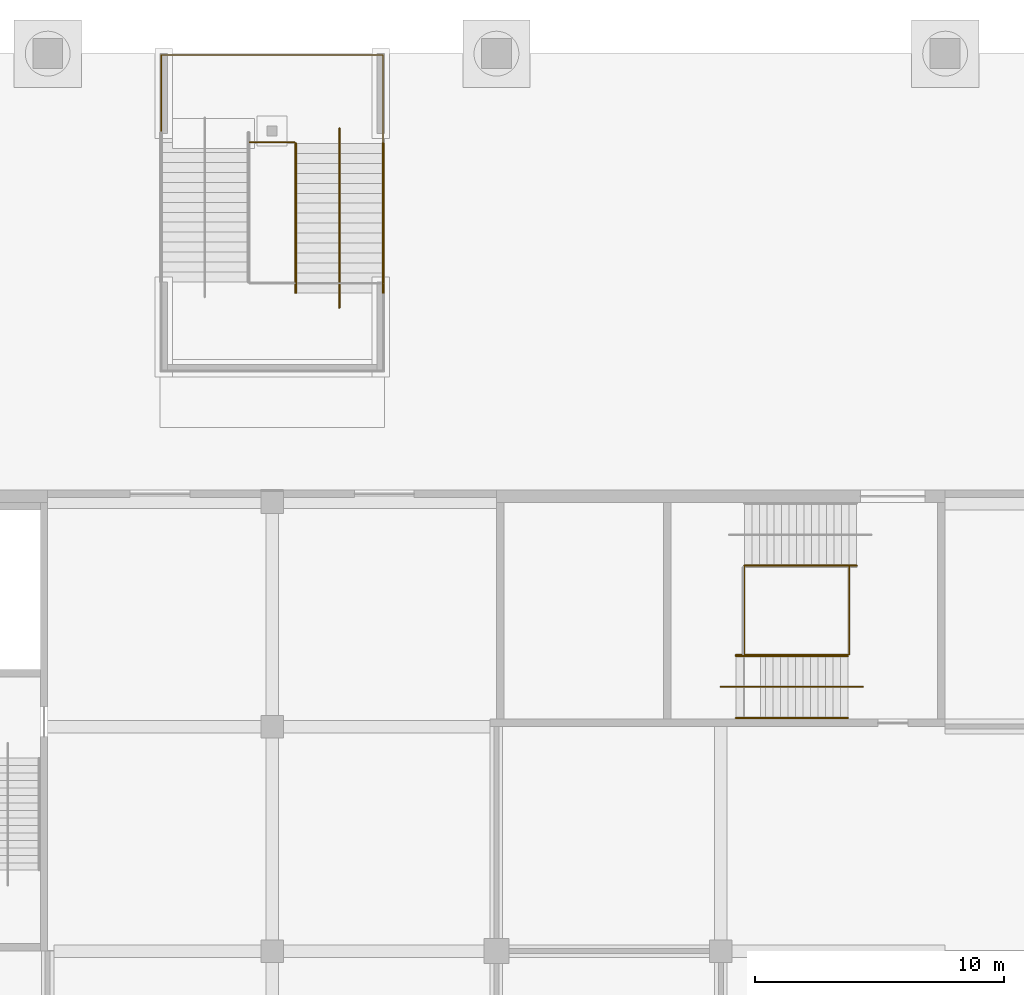
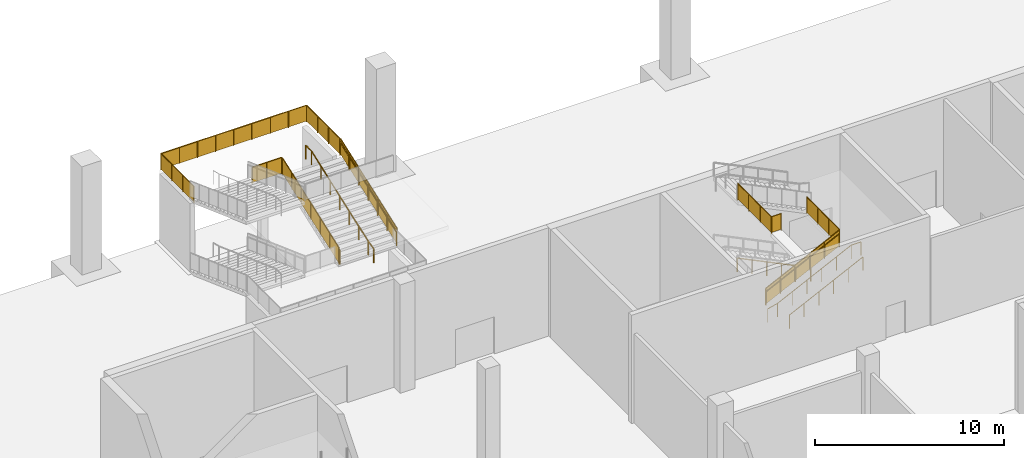
# One storey, part 85 of 92: 14 railings.
"""IFC4 building model written with IfcOpenShell, lengths in metres."""

import ifcopenshell
import ifcopenshell.guid

model = None  # the IFC model being written
_history = None  # IfcOwnerHistory: only IFC2X3 demands one
_inside = {}  # id of a spatial element -> (the spatial element, [elements in it])
_under = {}  # id of a project, library or spatial element -> (it, [spatial elements below it])
_declared = {}  # id of a project -> (the project, [libraries it declares])
_typed = {}  # id of a type object -> (the type object, [elements of that type])
_made_of = {}  # id of a material, layer set ... -> (it, [elements and type objects made of it])


def new_model(schema):
    """Start an empty IFC model of exactly this schema.

    Asked for "IFC4X3", IfcOpenShell would pick the latest addendum, in which some entities
    have other attributes; the version numbers below select the first issue.
    IFC2X3 requires an IfcOwnerHistory on every rooted entity: one is made here for all.
    """
    global model, _history
    if schema == "IFC4X3":
        model = ifcopenshell.file(schema_version=(4, 3, 0, 0))
    else:
        model = ifcopenshell.file(schema=schema)
    _inside.clear()
    _under.clear()
    _declared.clear()
    _typed.clear()
    _made_of.clear()
    _history = None
    if model.schema == "IFC2X3":
        org = make("IfcOrganization", Name="unknown")
        user = make(
            "IfcPersonAndOrganization",
            ThePerson=make("IfcPerson", FamilyName="unknown"),
            TheOrganization=org,
        )
        app = make(
            "IfcApplication",
            ApplicationDeveloper=org,
            Version="unknown",
            ApplicationFullName="unknown",
            ApplicationIdentifier="unknown",
        )
        _history = make(
            "IfcOwnerHistory",
            OwningUser=user,
            OwningApplication=app,
            ChangeAction="ADDED",
            CreationDate=0,
        )
    return model


def make(cls, **values):
    """One entity of the class cls with the attributes given. An attribute that is None is left unset."""
    return model.create_entity(
        cls, **{name: value for name, value in values.items() if value is not None}
    )


def rooted(cls, **values):
    """An entity with a GlobalId (a new one), such as an element, a storey or a relation."""
    return make(cls, GlobalId=ifcopenshell.guid.new(), OwnerHistory=_history, **values)


def si_unit(unit_type, name, prefix=None):
    """IfcSIUnit, for example si_unit("LENGTHUNIT", "METRE", prefix="MILLI")."""
    return make("IfcSIUnit", UnitType=unit_type, Prefix=prefix, Name=name)


def assignment(units):
    """IfcUnitAssignment: the units of a project."""
    return None if units is None else make("IfcUnitAssignment", Units=units)


def point(xyz):
    """IfcCartesianPoint."""
    return None if xyz is None else make("IfcCartesianPoint", Coordinates=xyz)


def direction(xyz):
    """IfcDirection."""
    return None if xyz is None else make("IfcDirection", DirectionRatios=xyz)


def frame(location, z_axis=None, x_axis=None):
    """IfcAxis2Placement3D, a coordinate frame: its origin and axes. An axis left out is left unset."""
    return make(
        "IfcAxis2Placement3D",
        Location=point(location),
        Axis=direction(z_axis),
        RefDirection=direction(x_axis),
    )


def frame_2d(location, x_axis=None):
    """IfcAxis2Placement2D, a coordinate frame in the plane: its origin and x axis."""
    return make(
        "IfcAxis2Placement2D", Location=point(location), RefDirection=direction(x_axis)
    )


def origin():
    """The frame at (0, 0, 0) with its axes left unset."""
    return frame((0.0, 0.0, 0.0))


def origin_2d():
    """The frame at (0, 0) in the plane with its x axis left unset."""
    return frame_2d((0.0, 0.0))


def place(relative_to, where):
    """IfcLocalPlacement: puts the frame where relative to a parent placement (None: the world)."""
    return make(
        "IfcLocalPlacement", PlacementRelTo=relative_to, RelativePlacement=where
    )


def context(
    kind, dimensions, precision=None, world=None, true_north=None, identifier=None
):
    """IfcGeometricRepresentationContext, for example the 3D "Model" context."""
    return make(
        "IfcGeometricRepresentationContext",
        ContextIdentifier=identifier,
        ContextType=kind,
        CoordinateSpaceDimension=dimensions,
        Precision=precision,
        WorldCoordinateSystem=world,
        TrueNorth=true_north,
    )


def subcontext(parent, identifier, kind, view, scale=None):
    """IfcGeometricRepresentationSubContext, for example "Body" below "Model"."""
    return make(
        "IfcGeometricRepresentationSubContext",
        ContextIdentifier=identifier,
        ContextType=kind,
        ParentContext=parent,
        TargetScale=scale,
        TargetView=view,
    )


def project(units=None, contexts=None):
    """IfcProject with its units and contexts."""
    return rooted(
        "IfcProject",
        Name="project",
        RepresentationContexts=contexts,
        UnitsInContext=assignment(units),
    )


def spatial(cls, under=None, at=None, **own):
    """A site, building, storey or space (cls), placed at a placement, below another one or the project."""
    s = rooted(cls, ObjectPlacement=at, **own)
    if under is not None:
        _under.setdefault(under.id(), (under, []))[1].append(s)
    return s


def polyline(points):
    """IfcPolyline through the points."""
    return make("IfcPolyline", Points=[point(p) for p in points])


def profile(cls, at=None, kind="AREA", **sizes):
    """A parametric profile (cls). Its sizes go by their IFC names, for example OverallWidth=200.0."""
    return make(cls, ProfileType=kind, Position=at, **sizes)


def circle(**sizes):
    """IfcCircleProfileDef."""
    return profile("IfcCircleProfileDef", **sizes)


def outline(outer, holes=None, kind="AREA"):
    """IfcArbitraryClosedProfileDef: a profile drawn as a closed curve; with holes, ...WithVoids."""
    if holes is None:
        return make("IfcArbitraryClosedProfileDef", ProfileType=kind, OuterCurve=outer)
    return make(
        "IfcArbitraryProfileDefWithVoids",
        ProfileType=kind,
        OuterCurve=outer,
        InnerCurves=holes,
    )


def extrude(swept, where, along, depth):
    """IfcExtrudedAreaSolid: the profile swept, set in the frame where, extruded along a direction by depth."""
    return make(
        "IfcExtrudedAreaSolid",
        SweptArea=swept,
        Position=where,
        ExtrudedDirection=direction(along),
        Depth=depth,
    )


def shape(context_of_items, identifier, shape_type, items):
    """IfcShapeRepresentation: the items that make up one representation, for example the "Body"."""
    return make(
        "IfcShapeRepresentation",
        ContextOfItems=context_of_items,
        RepresentationIdentifier=identifier,
        RepresentationType=shape_type,
        Items=items,
    )


def material(Name=None, Category=None):
    """IfcMaterial."""
    return make("IfcMaterial", Name=Name, Category=Category)


def made_of(thing, what):
    """Note that an element or type object is made of a material, layer set ...; save() writes the relation."""
    if what is not None:
        _made_of.setdefault(what.id(), (what, []))[1].append(thing)
    return thing


def type_object(cls, material=None, **own):
    """A type object (cls), such as IfcWallType, which elements share."""
    return made_of(rooted(cls, **own), material)


def element(
    cls,
    number,
    at=None,
    inside=None,
    cuts=None,
    type_object=None,
    material=None,
    context=None,
    identifier="Body",
    shape_type=None,
    held_by="IfcProductDefinitionShape",
    body=None,
    shapes=None,
    **own,
):
    """One element of the class cls, such as IfcWall. Its Tag is "e" and its number.

    at: its placement. inside: the storey or other place that contains it. cuts: it is an
    opening in that element (IfcRelVoidsElement). A single representation is given by context,
    identifier, shape_type and body (its items); several are given by shapes. held_by: the class
    of the entity that holds the representations. save() writes the other relations.
    """
    e = rooted(cls, Tag="e%d" % number, ObjectPlacement=at, **own)
    if body is not None:
        shapes = [shape(context, identifier, shape_type, body)]
    if shapes is not None:
        e.Representation = make(held_by, Representations=shapes)
    if inside is not None:
        _inside.setdefault(inside.id(), (inside, []))[1].append(e)
    if cuts is not None:
        rooted(
            "IfcRelVoidsElement", RelatingBuildingElement=cuts, RelatedOpeningElement=e
        )
    if type_object is not None:
        _typed.setdefault(type_object.id(), (type_object, []))[1].append(e)
    return made_of(e, material)


def aggregate(whole, parts):
    """IfcRelAggregates: a whole, such as a stair, and the parts it consists of."""
    return rooted("IfcRelAggregates", RelatingObject=whole, RelatedObjects=parts)


def save(model, path):
    """Write the relations noted so far, then the file.

    IfcRelAggregates (storeys below a building ...), IfcRelContainedInSpatialStructure (elements
    in a storey), IfcRelDefinesByType, IfcRelAssociatesMaterial and IfcRelDeclares: one each for
    every whole, place, type object, material and project.
    """
    for whole, parts in _under.values():
        aggregate(whole, parts)
    for where, things in _inside.values():
        rooted(
            "IfcRelContainedInSpatialStructure",
            RelatedElements=things,
            RelatingStructure=where,
        )
    for kind, things in _typed.values():
        rooted("IfcRelDefinesByType", RelatedObjects=things, RelatingType=kind)
    for what, things in _made_of.values():
        rooted("IfcRelAssociatesMaterial", RelatedObjects=things, RelatingMaterial=what)
    for by, libraries in _declared.values():
        rooted("IfcRelDeclares", RelatingContext=by, RelatedDefinitions=libraries)
    model.write(path)


model = new_model("IFC4")

# Units and contexts
model_context = context("Model", 3, precision=1e-05, world=origin(), true_north=direction((0.0, 1.0)))
body_context = subcontext(model_context, "Body", "Model", "MODEL_VIEW")
ifc_project = project(units=[si_unit("LENGTHUNIT", "METRE"), si_unit("AREAUNIT", "SQUARE_METRE"), si_unit("VOLUMEUNIT", "CUBIC_METRE"), si_unit("PLANEANGLEUNIT", "RADIAN"), si_unit("MASSUNIT", "GRAM", prefix="KILO")], contexts=[model_context])

# Site, building, storey
site_placement = place(None, origin())
site = spatial("IfcSite", under=ifc_project, at=site_placement, CompositionType="ELEMENT")
building_placement = place(site_placement, origin())
building = spatial("IfcBuilding", under=site, at=building_placement, Name="Silverbay Arena", CompositionType="ELEMENT")
storey_placement = place(building_placement, origin())
storey = spatial("IfcBuildingStorey", under=building, at=storey_placement, Name="L00", CompositionType="ELEMENT", Elevation=0.0)

# Railings
ifc_material_1 = material(Name="Stainless steel", Category="steel")
railing_type_1 = type_object("IfcRailingType", Name="Stair guard 1100", PredefinedType="GUARDRAIL", material=ifc_material_1)
railing_1_placement = place(storey_placement, frame((63.60009765625, 137.875, 2.479248046875)))
element("IfcRailing", 1, at=railing_1_placement, inside=storey, type_object=railing_type_1, Name="Stair ST-N5 L00 to L01 flight 2 guard right", PredefinedType="GUARDRAIL", context=body_context, shape_type="SweptSolid", body=[
    extrude(circle(Radius=0.02392578125, at=origin_2d()), frame((0.0, 0.0, 1.076171875), z_axis=(0.899367854138, 0.0, 0.437192706873), x_axis=(0.0, 1.0, 0.0)), (0.0, 0.0, 1.0), 5.00341796875),
    extrude(outline(polyline([(-0.008056640625, 0.046142578125), (0.907958984375, 0.491455078125), (0.907958984375, 1.494384765625), (-0.008056640625, 1.049072265625), (-0.008056640625, 0.046142578125)])), frame((0.0, 0.0029296875, 0.0), z_axis=(0.0, -1.0, 0.0), x_axis=(1.0, 0.0, 0.0)), (0.0, 0.0, 1.0), 0.006103515625),
    extrude(outline(polyline([(-0.008056640625, 0.483642578125), (0.907958984375, 0.928955078125), (0.907958984375, 1.931884765625), (-0.008056640625, 1.486572265625), (-0.008056640625, 0.483642578125)])), frame((0.89990234375, 0.0029296875, 0.0), z_axis=(0.0, -1.0, 0.0), x_axis=(1.0, 0.0, 0.0)), (0.0, 0.0, 1.0), 0.006103515625),
    extrude(outline(polyline([(-0.008056640625, 0.921142578125), (0.907958984375, 1.366455078125), (0.907958984375, 2.369384765625), (-0.008056640625, 1.924072265625), (-0.008056640625, 0.921142578125)])), frame((1.800048828125, 0.0029296875, 0.0), z_axis=(0.0, -1.0, 0.0), x_axis=(1.0, 0.0, 0.0)), (0.0, 0.0, 1.0), 0.006103515625),
    extrude(outline(polyline([(-0.008056640625, 1.358642578125), (0.907958984375, 1.803955078125), (0.907958984375, 2.806884765625), (-0.008056640625, 2.361572265625), (-0.008056640625, 1.358642578125)])), frame((2.699951171875, 0.0029296875, 0.0), z_axis=(0.0, -1.0, 0.0), x_axis=(1.0, 0.0, 0.0)), (0.0, 0.0, 1.0), 0.006103515625),
    extrude(outline(polyline([(-0.008056640625, 1.796142578125), (0.907958984375, 2.241455078125), (0.907958984375, 3.244384765625), (-0.008056640625, 2.799072265625), (-0.008056640625, 1.796142578125)])), frame((3.60009765625, 0.0029296875, 0.0), z_axis=(0.0, -1.0, 0.0), x_axis=(1.0, 0.0, 0.0)), (0.0, 0.0, 1.0), 0.006103515625),
    extrude(circle(Radius=0.02099609375, at=origin_2d()), origin(), (0.0, 0.0, 1.0), 1.052001953125),
    extrude(circle(Radius=0.02099609375, at=origin_2d()), frame((0.89990234375, 0.0, 0.4375)), (0.0, 0.0, 1.0), 1.052001953125),
    extrude(circle(Radius=0.02099609375, at=origin_2d()), frame((1.800048828125, 0.0, 0.875)), (0.0, 0.0, 1.0), 1.052001953125),
    extrude(circle(Radius=0.02099609375, at=origin_2d()), frame((2.699951171875, 0.0, 1.3125)), (0.0, 0.0, 1.0), 1.052001953125),
    extrude(circle(Radius=0.02099609375, at=origin_2d()), frame((3.60009765625, 0.0, 1.75)), (0.0, 0.0, 1.0), 1.052001953125),
    extrude(circle(Radius=0.02099609375, at=origin_2d()), frame((4.5, 0.0, 2.1875)), (0.0, 0.0, 1.0), 1.052001953125),
])
railing_2_placement = place(storey_placement, frame((68.14990234375, 137.89990234375, 4.666748046875)))
element("IfcRailing", 2, at=railing_2_placement, inside=storey, type_object=railing_type_1, Name="Stair ST-N5 L00 to L01 landing 2 guard", PredefinedType="GUARDRAIL", context=body_context, shape_type="SweptSolid", body=[
    extrude(circle(Radius=0.02392578125, at=origin_2d()), frame((0.0, 0.0, 1.076171875), z_axis=(0.0, 1.0, 0.0), x_axis=(-1.0, 0.0, 0.0)), (0.0, 0.0, 1.0), 3.5),
    extrude(outline(polyline([(-0.008056640625, 0.050048828125), (1.174560546875, 0.050048828125), (1.174560546875, 1.052978515625), (-0.008056640625, 1.052978515625), (-0.008056640625, 0.050048828125)])), frame((-0.0029296875, 0.0, 0.0), z_axis=(1.0, 0.0, 0.0), x_axis=(0.0, 1.0, 0.0)), (0.0, 0.0, 1.0), 0.006103515625),
    extrude(outline(polyline([(-0.008056640625, 0.050048828125), (1.174560546875, 0.050048828125), (1.174560546875, 1.052978515625), (-0.008056640625, 1.052978515625), (-0.008056640625, 0.050048828125)])), frame((-0.0029296875, 1.166748046875, 0.0), z_axis=(1.0, 0.0, 0.0), x_axis=(0.0, 1.0, 0.0)), (0.0, 0.0, 1.0), 0.006103515625),
    extrude(outline(polyline([(-0.008056640625, 0.050048828125), (1.174560546875, 0.050048828125), (1.174560546875, 1.052978515625), (-0.008056640625, 1.052978515625), (-0.008056640625, 0.050048828125)])), frame((-0.0029296875, 2.333251953125, 0.0), z_axis=(1.0, 0.0, 0.0), x_axis=(0.0, 1.0, 0.0)), (0.0, 0.0, 1.0), 0.006103515625),
    extrude(circle(Radius=0.02099609375, at=origin_2d()), origin(), (0.0, 0.0, 1.0), 1.052001953125),
    extrude(circle(Radius=0.02099609375, at=origin_2d()), frame((0.0, 1.166748046875, 0.0)), (0.0, 0.0, 1.0), 1.052001953125),
    extrude(circle(Radius=0.02099609375, at=origin_2d()), frame((0.0, 2.333251953125, 0.0)), (0.0, 0.0, 1.0), 1.052001953125),
    extrude(circle(Radius=0.02099609375, at=origin_2d()), frame((0.0, 3.5, 0.0)), (0.0, 0.0, 1.0), 1.052001953125),
])
railing_3_placement = place(storey_placement, frame((64.550048828125, 137.85009765625, 7.0)))
element("IfcRailing", 3, at=railing_3_placement, inside=storey, type_object=railing_type_1, Name="Stair ST-N5 L00 to L01 landing 3 guard", PredefinedType="GUARDRAIL", context=body_context, shape_type="SweptSolid", body=[
    extrude(circle(Radius=0.02392578125, at=origin_2d()), frame((0.0, 0.0, 1.076171875), z_axis=(-1.0, 0.0, 0.0), x_axis=(0.0, -1.0, 0.0)), (0.0, 0.0, 1.0), 0.60693359375),
    extrude(outline(polyline([(-0.008056640625, 0.050048828125), (0.614990234375, 0.050048828125), (0.614990234375, 1.052978515625), (-0.008056640625, 1.052978515625), (-0.008056640625, 0.050048828125)])), frame((0.0, -0.0029296875, 0.0), z_axis=(0.0, 1.0, 0.0), x_axis=(-1.0, 0.0, 0.0)), (0.0, 0.0, 1.0), 0.006103515625),
    extrude(circle(Radius=0.02392578125, at=origin_2d()), frame((-0.60693359375, 0.0, 1.076171875), z_axis=(0.0, 1.0, 0.0), x_axis=(-1.0, 0.0, 0.0)), (0.0, 0.0, 1.0), 3.5498046875),
    extrude(outline(polyline([(-0.008056640625, 0.050048828125), (1.191162109375, 0.050048828125), (1.191162109375, 1.052978515625), (-0.008056640625, 1.052978515625), (-0.008056640625, 0.050048828125)])), frame((-0.60986328125, 0.0, 0.0), z_axis=(1.0, 0.0, 0.0), x_axis=(0.0, 1.0, 0.0)), (0.0, 0.0, 1.0), 0.006103515625),
    extrude(outline(polyline([(-0.008056640625, 0.050048828125), (1.191162109375, 0.050048828125), (1.191162109375, 1.052978515625), (-0.008056640625, 1.052978515625), (-0.008056640625, 0.050048828125)])), frame((-0.60986328125, 1.183349609375, 0.0), z_axis=(1.0, 0.0, 0.0), x_axis=(0.0, 1.0, 0.0)), (0.0, 0.0, 1.0), 0.006103515625),
    extrude(outline(polyline([(-0.008056640625, 0.050048828125), (1.191162109375, 0.050048828125), (1.191162109375, 1.052978515625), (-0.008056640625, 1.052978515625), (-0.008056640625, 0.050048828125)])), frame((-0.60986328125, 2.366455078125, 0.0), z_axis=(1.0, 0.0, 0.0), x_axis=(0.0, 1.0, 0.0)), (0.0, 0.0, 1.0), 0.006103515625),
    extrude(circle(Radius=0.02099609375, at=origin_2d()), origin(), (0.0, 0.0, 1.0), 1.052001953125),
    extrude(circle(Radius=0.02099609375, at=origin_2d()), frame((-0.60693359375, 0.0, 0.0)), (0.0, 0.0, 1.0), 1.052001953125),
    extrude(circle(Radius=0.02099609375, at=origin_2d()), frame((-0.60693359375, 1.183349609375, 0.0)), (0.0, 0.0, 1.0), 1.052001953125),
    extrude(circle(Radius=0.02099609375, at=origin_2d()), frame((-0.60693359375, 2.366455078125, 0.0)), (0.0, 0.0, 1.0), 1.052001953125),
    extrude(circle(Radius=0.02099609375, at=origin_2d()), frame((-0.60693359375, 3.5498046875, 0.0)), (0.0, 0.0, 1.0), 1.052001953125),
])
railing_4_placement = place(storey_placement, frame((45.925048828125, 152.39990234375, 2.479248046875)))
element("IfcRailing", 4, at=railing_4_placement, inside=storey, type_object=railing_type_1, Name="Deck stair DS4 flight 2 guard left", PredefinedType="GUARDRAIL", context=body_context, shape_type="SweptSolid", body=[
    extrude(circle(Radius=0.02392578125, at=origin_2d()), frame((0.0, 0.0, 1.076171875), z_axis=(0.0, 0.939507356738, 0.342528723811), x_axis=(-1.0, 0.0, 0.0)), (0.0, 0.0, 1.0), 6.38623046875),
    extrude(outline(polyline([(-0.008056640625, 0.047119140625), (1.008056640625, 0.41748046875), (1.008056640625, 1.42041015625), (-0.008056640625, 1.050048828125), (-0.008056640625, 0.047119140625)])), frame((-0.0029296875, 0.0, 0.0), z_axis=(1.0, 0.0, 0.0), x_axis=(0.0, 1.0, 0.0)), (0.0, 0.0, 1.0), 0.006103515625),
    extrude(outline(polyline([(-0.008056640625, 0.41162109375), (1.008056640625, 0.781982421875), (1.008056640625, 1.78515625), (-0.008056640625, 1.41455078125), (-0.008056640625, 0.41162109375)])), frame((-0.0029296875, 1.0, 0.0), z_axis=(1.0, 0.0, 0.0), x_axis=(0.0, 1.0, 0.0)), (0.0, 0.0, 1.0), 0.006103515625),
    extrude(outline(polyline([(-0.008056640625, 0.7763671875), (1.008056640625, 1.146728515625), (1.008056640625, 2.149658203125), (-0.008056640625, 1.779296875), (-0.008056640625, 0.7763671875)])), frame((-0.0029296875, 2.0, 0.0), z_axis=(1.0, 0.0, 0.0), x_axis=(0.0, 1.0, 0.0)), (0.0, 0.0, 1.0), 0.006103515625),
    extrude(outline(polyline([(-0.008056640625, 1.140869140625), (1.008056640625, 1.51123046875), (1.008056640625, 2.51416015625), (-0.008056640625, 2.143798828125), (-0.008056640625, 1.140869140625)])), frame((-0.0029296875, 3.0, 0.0), z_axis=(1.0, 0.0, 0.0), x_axis=(0.0, 1.0, 0.0)), (0.0, 0.0, 1.0), 0.006103515625),
    extrude(outline(polyline([(-0.008056640625, 1.50537109375), (1.008056640625, 1.875732421875), (1.008056640625, 2.87890625), (-0.008056640625, 2.50830078125), (-0.008056640625, 1.50537109375)])), frame((-0.0029296875, 4.0, 0.0), z_axis=(1.0, 0.0, 0.0), x_axis=(0.0, 1.0, 0.0)), (0.0, 0.0, 1.0), 0.006103515625),
    extrude(outline(polyline([(-0.008056640625, 1.8701171875), (1.008056640625, 2.240478515625), (1.008056640625, 3.243408203125), (-0.008056640625, 2.873046875), (-0.008056640625, 1.8701171875)])), frame((-0.0029296875, 5.0, 0.0), z_axis=(1.0, 0.0, 0.0), x_axis=(0.0, 1.0, 0.0)), (0.0, 0.0, 1.0), 0.006103515625),
    extrude(circle(Radius=0.02099609375, at=origin_2d()), origin(), (0.0, 0.0, 1.0), 1.052001953125),
    extrude(circle(Radius=0.02099609375, at=origin_2d()), frame((0.0, 1.0, 0.364501953125)), (0.0, 0.0, 1.0), 1.052001953125),
    extrude(circle(Radius=0.02099609375, at=origin_2d()), frame((0.0, 2.0, 0.729248046875)), (0.0, 0.0, 1.0), 1.052001953125),
    extrude(circle(Radius=0.02099609375, at=origin_2d()), frame((0.0, 3.0, 1.09375)), (0.0, 0.0, 1.0), 1.052001953125),
    extrude(circle(Radius=0.02099609375, at=origin_2d()), frame((0.0, 4.0, 1.458251953125)), (0.0, 0.0, 1.0), 1.052001953125),
    extrude(circle(Radius=0.02099609375, at=origin_2d()), frame((0.0, 5.0, 1.822998046875)), (0.0, 0.0, 1.0), 1.052001953125),
    extrude(circle(Radius=0.02099609375, at=origin_2d()), frame((0.0, 6.0, 2.1875)), (0.0, 0.0, 1.0), 1.052001953125),
])
railing_5_placement = place(storey_placement, frame((49.47509765625, 152.39990234375, 2.479248046875)))
element("IfcRailing", 5, at=railing_5_placement, inside=storey, type_object=railing_type_1, Name="Deck stair DS4 flight 2 guard right", PredefinedType="GUARDRAIL", context=body_context, shape_type="SweptSolid", body=[
    extrude(circle(Radius=0.02392578125, at=origin_2d()), frame((0.0, 0.0, 1.076171875), z_axis=(0.0, 0.939507356738, 0.342528723811), x_axis=(-1.0, 0.0, 0.0)), (0.0, 0.0, 1.0), 6.38623046875),
    extrude(outline(polyline([(-0.008056640625, 0.047119140625), (1.008056640625, 0.41748046875), (1.008056640625, 1.42041015625), (-0.008056640625, 1.050048828125), (-0.008056640625, 0.047119140625)])), frame((-0.0029296875, 0.0, 0.0), z_axis=(1.0, 0.0, 0.0), x_axis=(0.0, 1.0, 0.0)), (0.0, 0.0, 1.0), 0.006103515625),
    extrude(outline(polyline([(-0.008056640625, 0.41162109375), (1.008056640625, 0.781982421875), (1.008056640625, 1.78515625), (-0.008056640625, 1.41455078125), (-0.008056640625, 0.41162109375)])), frame((-0.0029296875, 1.0, 0.0), z_axis=(1.0, 0.0, 0.0), x_axis=(0.0, 1.0, 0.0)), (0.0, 0.0, 1.0), 0.006103515625),
    extrude(outline(polyline([(-0.008056640625, 0.7763671875), (1.008056640625, 1.146728515625), (1.008056640625, 2.149658203125), (-0.008056640625, 1.779296875), (-0.008056640625, 0.7763671875)])), frame((-0.0029296875, 2.0, 0.0), z_axis=(1.0, 0.0, 0.0), x_axis=(0.0, 1.0, 0.0)), (0.0, 0.0, 1.0), 0.006103515625),
    extrude(outline(polyline([(-0.008056640625, 1.140869140625), (1.008056640625, 1.51123046875), (1.008056640625, 2.51416015625), (-0.008056640625, 2.143798828125), (-0.008056640625, 1.140869140625)])), frame((-0.0029296875, 3.0, 0.0), z_axis=(1.0, 0.0, 0.0), x_axis=(0.0, 1.0, 0.0)), (0.0, 0.0, 1.0), 0.006103515625),
    extrude(outline(polyline([(-0.008056640625, 1.50537109375), (1.008056640625, 1.875732421875), (1.008056640625, 2.87890625), (-0.008056640625, 2.50830078125), (-0.008056640625, 1.50537109375)])), frame((-0.0029296875, 4.0, 0.0), z_axis=(1.0, 0.0, 0.0), x_axis=(0.0, 1.0, 0.0)), (0.0, 0.0, 1.0), 0.006103515625),
    extrude(outline(polyline([(-0.008056640625, 1.8701171875), (1.008056640625, 2.240478515625), (1.008056640625, 3.243408203125), (-0.008056640625, 2.873046875), (-0.008056640625, 1.8701171875)])), frame((-0.0029296875, 5.0, 0.0), z_axis=(1.0, 0.0, 0.0), x_axis=(0.0, 1.0, 0.0)), (0.0, 0.0, 1.0), 0.006103515625),
    extrude(circle(Radius=0.02099609375, at=origin_2d()), origin(), (0.0, 0.0, 1.0), 1.052001953125),
    extrude(circle(Radius=0.02099609375, at=origin_2d()), frame((0.0, 1.0, 0.364501953125)), (0.0, 0.0, 1.0), 1.052001953125),
    extrude(circle(Radius=0.02099609375, at=origin_2d()), frame((0.0, 2.0, 0.729248046875)), (0.0, 0.0, 1.0), 1.052001953125),
    extrude(circle(Radius=0.02099609375, at=origin_2d()), frame((0.0, 3.0, 1.09375)), (0.0, 0.0, 1.0), 1.052001953125),
    extrude(circle(Radius=0.02099609375, at=origin_2d()), frame((0.0, 4.0, 1.458251953125)), (0.0, 0.0, 1.0), 1.052001953125),
    extrude(circle(Radius=0.02099609375, at=origin_2d()), frame((0.0, 5.0, 1.822998046875)), (0.0, 0.0, 1.0), 1.052001953125),
    extrude(circle(Radius=0.02099609375, at=origin_2d()), frame((0.0, 6.0, 2.1875)), (0.0, 0.0, 1.0), 1.052001953125),
])
railing_6_placement = place(storey_placement, frame((40.550048828125, 158.449951171875, 4.666748046875)))
element("IfcRailing", 6, at=railing_6_placement, inside=storey, type_object=railing_type_1, Name="Deck stair DS4 landing 2 guard", PredefinedType="GUARDRAIL", context=body_context, shape_type="SweptSolid", body=[
    extrude(circle(Radius=0.02392578125, at=origin_2d()), frame((0.0, 0.0, 1.076171875), z_axis=(0.0, 1.0, 0.0), x_axis=(-1.0, 0.0, 0.0)), (0.0, 0.0, 1.0), 3.5),
    extrude(outline(polyline([(-0.008056640625, 0.050048828125), (1.174560546875, 0.050048828125), (1.174560546875, 1.052978515625), (-0.008056640625, 1.052978515625), (-0.008056640625, 0.050048828125)])), frame((-0.0029296875, 0.0, 0.0), z_axis=(1.0, 0.0, 0.0), x_axis=(0.0, 1.0, 0.0)), (0.0, 0.0, 1.0), 0.006103515625),
    extrude(outline(polyline([(-0.008056640625, 0.050048828125), (1.174560546875, 0.050048828125), (1.174560546875, 1.052978515625), (-0.008056640625, 1.052978515625), (-0.008056640625, 0.050048828125)])), frame((-0.0029296875, 1.166748046875, 0.0), z_axis=(1.0, 0.0, 0.0), x_axis=(0.0, 1.0, 0.0)), (0.0, 0.0, 1.0), 0.006103515625),
    extrude(outline(polyline([(-0.008056640625, 0.050048828125), (1.174560546875, 0.050048828125), (1.174560546875, 1.052978515625), (-0.008056640625, 1.052978515625), (-0.008056640625, 0.050048828125)])), frame((-0.0029296875, 2.333251953125, 0.0), z_axis=(1.0, 0.0, 0.0), x_axis=(0.0, 1.0, 0.0)), (0.0, 0.0, 1.0), 0.006103515625),
    extrude(circle(Radius=0.02392578125, at=origin_2d()), frame((0.0, 3.5, 1.076171875), z_axis=(1.0, 0.0, 0.0), x_axis=(0.0, 1.0, 0.0)), (0.0, 0.0, 1.0), 8.89990234375),
    extrude(outline(polyline([(-0.008056640625, 0.050048828125), (1.12060546875, 0.050048828125), (1.12060546875, 1.052978515625), (-0.008056640625, 1.052978515625), (-0.008056640625, 0.050048828125)])), frame((0.0, 3.5029296875, 0.0), z_axis=(0.0, -1.0, 0.0), x_axis=(1.0, 0.0, 0.0)), (0.0, 0.0, 1.0), 0.006103515625),
    extrude(outline(polyline([(-0.008056640625, 0.050048828125), (1.12060546875, 0.050048828125), (1.12060546875, 1.052978515625), (-0.008056640625, 1.052978515625), (-0.008056640625, 0.050048828125)])), frame((1.112548828125, 3.5029296875, 0.0), z_axis=(0.0, -1.0, 0.0), x_axis=(1.0, 0.0, 0.0)), (0.0, 0.0, 1.0), 0.006103515625),
    extrude(outline(polyline([(-0.008056640625, 0.050048828125), (1.12060546875, 0.050048828125), (1.12060546875, 1.052978515625), (-0.008056640625, 1.052978515625), (-0.008056640625, 0.050048828125)])), frame((2.22509765625, 3.5029296875, 0.0), z_axis=(0.0, -1.0, 0.0), x_axis=(1.0, 0.0, 0.0)), (0.0, 0.0, 1.0), 0.006103515625),
    extrude(outline(polyline([(-0.008056640625, 0.050048828125), (1.12060546875, 0.050048828125), (1.12060546875, 1.052978515625), (-0.008056640625, 1.052978515625), (-0.008056640625, 0.050048828125)])), frame((3.33740234375, 3.5029296875, 0.0), z_axis=(0.0, -1.0, 0.0), x_axis=(1.0, 0.0, 0.0)), (0.0, 0.0, 1.0), 0.006103515625),
    extrude(outline(polyline([(-0.008056640625, 0.050048828125), (1.12060546875, 0.050048828125), (1.12060546875, 1.052978515625), (-0.008056640625, 1.052978515625), (-0.008056640625, 0.050048828125)])), frame((4.449951171875, 3.5029296875, 0.0), z_axis=(0.0, -1.0, 0.0), x_axis=(1.0, 0.0, 0.0)), (0.0, 0.0, 1.0), 0.006103515625),
    extrude(outline(polyline([(-0.008056640625, 0.050048828125), (1.12060546875, 0.050048828125), (1.12060546875, 1.052978515625), (-0.008056640625, 1.052978515625), (-0.008056640625, 0.050048828125)])), frame((5.5625, 3.5029296875, 0.0), z_axis=(0.0, -1.0, 0.0), x_axis=(1.0, 0.0, 0.0)), (0.0, 0.0, 1.0), 0.006103515625),
    extrude(outline(polyline([(-0.008056640625, 0.050048828125), (1.12060546875, 0.050048828125), (1.12060546875, 1.052978515625), (-0.008056640625, 1.052978515625), (-0.008056640625, 0.050048828125)])), frame((6.6748046875, 3.5029296875, 0.0), z_axis=(0.0, -1.0, 0.0), x_axis=(1.0, 0.0, 0.0)), (0.0, 0.0, 1.0), 0.006103515625),
    extrude(outline(polyline([(-0.008056640625, 0.050048828125), (1.12060546875, 0.050048828125), (1.12060546875, 1.052978515625), (-0.008056640625, 1.052978515625), (-0.008056640625, 0.050048828125)])), frame((7.787353515625, 3.5029296875, 0.0), z_axis=(0.0, -1.0, 0.0), x_axis=(1.0, 0.0, 0.0)), (0.0, 0.0, 1.0), 0.006103515625),
    extrude(circle(Radius=0.02392578125, at=origin_2d()), frame((8.89990234375, 3.5, 1.076171875), z_axis=(0.0, -1.0, 0.0), x_axis=(1.0, 0.0, 0.0)), (0.0, 0.0, 1.0), 3.5),
    extrude(outline(polyline([(-0.008056640625, 0.050048828125), (1.174560546875, 0.050048828125), (1.174560546875, 1.052978515625), (-0.008056640625, 1.052978515625), (-0.008056640625, 0.050048828125)])), frame((8.90283203125, 3.5, 0.0), z_axis=(-1.0, 0.0, 0.0), x_axis=(0.0, -1.0, 0.0)), (0.0, 0.0, 1.0), 0.006103515625),
    extrude(outline(polyline([(-0.008056640625, 0.050048828125), (1.174560546875, 0.050048828125), (1.174560546875, 1.052978515625), (-0.008056640625, 1.052978515625), (-0.008056640625, 0.050048828125)])), frame((8.90283203125, 2.333251953125, 0.0), z_axis=(-1.0, 0.0, 0.0), x_axis=(0.0, -1.0, 0.0)), (0.0, 0.0, 1.0), 0.006103515625),
    extrude(outline(polyline([(-0.008056640625, 0.050048828125), (1.174560546875, 0.050048828125), (1.174560546875, 1.052978515625), (-0.008056640625, 1.052978515625), (-0.008056640625, 0.050048828125)])), frame((8.90283203125, 1.166748046875, 0.0), z_axis=(-1.0, 0.0, 0.0), x_axis=(0.0, -1.0, 0.0)), (0.0, 0.0, 1.0), 0.006103515625),
    extrude(circle(Radius=0.02099609375, at=origin_2d()), origin(), (0.0, 0.0, 1.0), 1.052001953125),
    extrude(circle(Radius=0.02099609375, at=origin_2d()), frame((0.0, 1.166748046875, 0.0)), (0.0, 0.0, 1.0), 1.052001953125),
    extrude(circle(Radius=0.02099609375, at=origin_2d()), frame((0.0, 2.333251953125, 0.0)), (0.0, 0.0, 1.0), 1.052001953125),
    extrude(circle(Radius=0.02099609375, at=origin_2d()), frame((0.0, 3.5, 0.0)), (0.0, 0.0, 1.0), 1.052001953125),
    extrude(circle(Radius=0.02099609375, at=origin_2d()), frame((1.112548828125, 3.5, 0.0)), (0.0, 0.0, 1.0), 1.052001953125),
    extrude(circle(Radius=0.02099609375, at=origin_2d()), frame((2.22509765625, 3.5, 0.0)), (0.0, 0.0, 1.0), 1.052001953125),
    extrude(circle(Radius=0.02099609375, at=origin_2d()), frame((3.33740234375, 3.5, 0.0)), (0.0, 0.0, 1.0), 1.052001953125),
    extrude(circle(Radius=0.02099609375, at=origin_2d()), frame((4.449951171875, 3.5, 0.0)), (0.0, 0.0, 1.0), 1.052001953125),
    extrude(circle(Radius=0.02099609375, at=origin_2d()), frame((5.5625, 3.5, 0.0)), (0.0, 0.0, 1.0), 1.052001953125),
    extrude(circle(Radius=0.02099609375, at=origin_2d()), frame((6.6748046875, 3.5, 0.0)), (0.0, 0.0, 1.0), 1.052001953125),
    extrude(circle(Radius=0.02099609375, at=origin_2d()), frame((7.787353515625, 3.5, 0.0)), (0.0, 0.0, 1.0), 1.052001953125),
    extrude(circle(Radius=0.02099609375, at=origin_2d()), frame((8.89990234375, 3.5, 0.0)), (0.0, 0.0, 1.0), 1.052001953125),
    extrude(circle(Radius=0.02099609375, at=origin_2d()), frame((8.89990234375, 2.333251953125, 0.0)), (0.0, 0.0, 1.0), 1.052001953125),
    extrude(circle(Radius=0.02099609375, at=origin_2d()), frame((8.89990234375, 1.166748046875, 0.0)), (0.0, 0.0, 1.0), 1.052001953125),
    extrude(circle(Radius=0.02099609375, at=origin_2d()), frame((8.89990234375, 0.0, 0.0)), (0.0, 0.0, 1.0), 1.052001953125),
])
railing_7_placement = place(storey_placement, frame((44.10009765625, 158.449951171875, 4.666748046875)))
element("IfcRailing", 7, at=railing_7_placement, inside=storey, type_object=railing_type_1, Name="Deck stair DS4 landing 2 guard", PredefinedType="GUARDRAIL", context=body_context, shape_type="SweptSolid", body=[
    extrude(circle(Radius=0.02392578125, at=origin_2d()), frame((0.0, 0.0, 1.076171875), z_axis=(1.0, 0.0, 0.0), x_axis=(0.0, 1.0, 0.0)), (0.0, 0.0, 1.0), 1.7998046875),
    extrude(outline(polyline([(-0.008056640625, 0.050048828125), (0.907958984375, 0.050048828125), (0.907958984375, 1.052978515625), (-0.008056640625, 1.052978515625), (-0.008056640625, 0.050048828125)])), frame((0.0, 0.0029296875, 0.0), z_axis=(0.0, -1.0, 0.0), x_axis=(1.0, 0.0, 0.0)), (0.0, 0.0, 1.0), 0.006103515625),
    extrude(outline(polyline([(-0.008056640625, 0.050048828125), (0.907958984375, 0.050048828125), (0.907958984375, 1.052978515625), (-0.008056640625, 1.052978515625), (-0.008056640625, 0.050048828125)])), frame((0.89990234375, 0.0029296875, 0.0), z_axis=(0.0, -1.0, 0.0), x_axis=(1.0, 0.0, 0.0)), (0.0, 0.0, 1.0), 0.006103515625),
    extrude(circle(Radius=0.02099609375, at=origin_2d()), origin(), (0.0, 0.0, 1.0), 1.052001953125),
    extrude(circle(Radius=0.02099609375, at=origin_2d()), frame((0.89990234375, 0.0, 0.0)), (0.0, 0.0, 1.0), 1.052001953125),
    extrude(circle(Radius=0.02099609375, at=origin_2d()), frame((1.7998046875, 0.0, 0.0)), (0.0, 0.0, 1.0), 1.052001953125),
])
ifc_material_2 = material(Name="Stainless steel", Category="steel")
railing_type_2 = type_object("IfcRailingType", Name="Stair handrail 900", PredefinedType="HANDRAIL", material=ifc_material_2)
railing_8_placement = place(storey_placement, frame((68.443115234375, 141.464111328125, 0.145751953125)))
element("IfcRailing", 8, at=railing_8_placement, inside=storey, type_object=railing_type_2, Name="Stair ST-N5 L00 to L01 flight 1 handrail left", PredefinedType="HANDRAIL", context=body_context, shape_type="SweptSolid", body=[
    extrude(circle(Radius=0.02392578125, at=origin_2d()), frame((0.0, 0.0, 0.8759765625), z_axis=(-0.899367854138, 0.0, 0.437192706873), x_axis=(0.0, -1.0, 0.0)), (0.0, 0.0, 1.0), 5.00341796875),
    extrude(circle(Radius=0.02099609375, at=origin_2d()), origin(), (0.0, 0.0, 1.0), 0.851806640625),
    extrude(circle(Radius=0.02099609375, at=origin_2d()), frame((-0.89990234375, 0.0, 0.4375)), (0.0, 0.0, 1.0), 0.851806640625),
    extrude(circle(Radius=0.02099609375, at=origin_2d()), frame((-1.800048828125, 0.0, 0.875)), (0.0, 0.0, 1.0), 0.851806640625),
    extrude(circle(Radius=0.02099609375, at=origin_2d()), frame((-2.699951171875, 0.0, 1.3125)), (0.0, 0.0, 1.0), 0.851806640625),
    extrude(circle(Radius=0.02099609375, at=origin_2d()), frame((-3.60009765625, 0.0, 1.75)), (0.0, 0.0, 1.0), 0.851806640625),
    extrude(circle(Radius=0.02099609375, at=origin_2d()), frame((-4.5, 0.0, 2.1875)), (0.0, 0.0, 1.0), 0.851806640625),
])
for number, where, name in (
    (9, (63.60009765625, 135.35009765625, 2.479248046875), "Stair ST-N5 L00 to L01 flight 2 handrail left"),
    (10, (63.60009765625, 137.8359375, 2.479248046875), "Stair ST-N5 L00 to L01 flight 2 handrail right"),
):
    element("IfcRailing", number, at=place(storey_placement, frame(where)), inside=storey, type_object=railing_type_2, Name=name, PredefinedType="HANDRAIL", context=body_context, shape_type="SweptSolid", body=[
        extrude(circle(Radius=0.02392578125, at=origin_2d()), frame((0.0, 0.0, 0.8759765625), z_axis=(0.899367854138, 0.0, 0.437192706873), x_axis=(0.0, 1.0, 0.0)), (0.0, 0.0, 1.0), 5.00341796875),
        extrude(circle(Radius=0.02099609375, at=origin_2d()), origin(), (0.0, 0.0, 1.0), 0.851806640625),
        extrude(circle(Radius=0.02099609375, at=origin_2d()), frame((0.89990234375, 0.0, 0.4375)), (0.0, 0.0, 1.0), 0.851806640625),
        extrude(circle(Radius=0.02099609375, at=origin_2d()), frame((1.800048828125, 0.0, 0.875)), (0.0, 0.0, 1.0), 0.851806640625),
        extrude(circle(Radius=0.02099609375, at=origin_2d()), frame((2.699951171875, 0.0, 1.3125)), (0.0, 0.0, 1.0), 0.851806640625),
        extrude(circle(Radius=0.02099609375, at=origin_2d()), frame((3.60009765625, 0.0, 1.75)), (0.0, 0.0, 1.0), 0.851806640625),
        extrude(circle(Radius=0.02099609375, at=origin_2d()), frame((4.5, 0.0, 2.1875)), (0.0, 0.0, 1.0), 0.851806640625),
    ])
railing_9_placement = place(storey_placement, frame((63.0, 136.60009765625, 2.333251953125)))
element("IfcRailing", 11, at=railing_9_placement, inside=storey, type_object=railing_type_2, Name="Stair ST-N5 L00 to L01 flight 2 central handrail", PredefinedType="HANDRAIL", context=body_context, shape_type="SweptSolid", body=[
    extrude(circle(Radius=0.02392578125, at=origin_2d()), frame((0.0, 0.0, 0.8759765625), z_axis=(0.971657787874, 0.0, 0.236391927237), x_axis=(0.0, 1.0, 0.0)), (0.0, 0.0, 1.0), 0.61767578125),
    extrude(circle(Radius=0.02392578125, at=origin_2d()), frame((0.60009765625, 0.0, 1.02197265625), z_axis=(0.899367854138, 0.0, 0.437192706873), x_axis=(0.0, 1.0, 0.0)), (0.0, 0.0, 1.0), 5.00341796875),
    extrude(circle(Radius=0.02392578125, at=origin_2d()), frame((5.10009765625, 0.0, 3.20947265625), z_axis=(1.0, 0.0, 0.0), x_axis=(0.0, 1.0, 0.0)), (0.0, 0.0, 1.0), 0.599853515625),
    extrude(circle(Radius=0.02099609375, at=origin_2d()), origin(), (0.0, 0.0, 1.0), 0.851806640625),
    extrude(circle(Radius=0.02099609375, at=origin_2d()), frame((0.60009765625, 0.0, 0.14599609375)), (0.0, 0.0, 1.0), 0.851806640625),
    extrude(circle(Radius=0.02099609375, at=origin_2d()), frame((1.5, 0.0, 0.58349609375)), (0.0, 0.0, 1.0), 0.851806640625),
    extrude(circle(Radius=0.02099609375, at=origin_2d()), frame((2.400146484375, 0.0, 1.02099609375)), (0.0, 0.0, 1.0), 0.851806640625),
    extrude(circle(Radius=0.02099609375, at=origin_2d()), frame((3.300048828125, 0.0, 1.45849609375)), (0.0, 0.0, 1.0), 0.851806640625),
    extrude(circle(Radius=0.02099609375, at=origin_2d()), frame((4.2001953125, 0.0, 1.89599609375)), (0.0, 0.0, 1.0), 0.851806640625),
    extrude(circle(Radius=0.02099609375, at=origin_2d()), frame((5.10009765625, 0.0, 2.33349609375)), (0.0, 0.0, 1.0), 0.851806640625),
    extrude(circle(Radius=0.02099609375, at=origin_2d()), frame((5.699951171875, 0.0, 2.33349609375)), (0.0, 0.0, 1.0), 0.851806640625),
])
for number, where, name in (
    (12, (45.964111328125, 152.39990234375, 2.479248046875), "Deck stair DS4 flight 2 handrail left"),
    (13, (49.43603515625, 152.39990234375, 2.479248046875), "Deck stair DS4 flight 2 handrail right"),
):
    element("IfcRailing", number, at=place(storey_placement, frame(where)), inside=storey, type_object=railing_type_2, Name=name, PredefinedType="HANDRAIL", context=body_context, shape_type="SweptSolid", body=[
        extrude(circle(Radius=0.02392578125, at=origin_2d()), frame((0.0, 0.0, 0.8759765625), z_axis=(0.0, 0.939507356738, 0.342528723811), x_axis=(-1.0, 0.0, 0.0)), (0.0, 0.0, 1.0), 6.38623046875),
        extrude(circle(Radius=0.02099609375, at=origin_2d()), origin(), (0.0, 0.0, 1.0), 0.851806640625),
        extrude(circle(Radius=0.02099609375, at=origin_2d()), frame((0.0, 1.0, 0.364501953125)), (0.0, 0.0, 1.0), 0.851806640625),
        extrude(circle(Radius=0.02099609375, at=origin_2d()), frame((0.0, 2.0, 0.729248046875)), (0.0, 0.0, 1.0), 0.851806640625),
        extrude(circle(Radius=0.02099609375, at=origin_2d()), frame((0.0, 3.0, 1.09375)), (0.0, 0.0, 1.0), 0.851806640625),
        extrude(circle(Radius=0.02099609375, at=origin_2d()), frame((0.0, 4.0, 1.458251953125)), (0.0, 0.0, 1.0), 0.851806640625),
        extrude(circle(Radius=0.02099609375, at=origin_2d()), frame((0.0, 5.0, 1.822998046875)), (0.0, 0.0, 1.0), 0.851806640625),
        extrude(circle(Radius=0.02099609375, at=origin_2d()), frame((0.0, 6.0, 2.1875)), (0.0, 0.0, 1.0), 0.851806640625),
    ])
railing_10_placement = place(storey_placement, frame((47.699951171875, 151.800048828125, 2.333251953125)))
element("IfcRailing", 14, at=railing_10_placement, inside=storey, type_object=railing_type_2, Name="Deck stair DS4 flight 2 central handrail", PredefinedType="HANDRAIL", context=body_context, shape_type="SweptSolid", body=[
    extrude(circle(Radius=0.02392578125, at=origin_2d()), frame((0.0, 0.0, 0.8759765625), z_axis=(0.0, 0.971635685089, 0.236482759334), x_axis=(-1.0, 0.0, 0.0)), (0.0, 0.0, 1.0), 0.617431640625),
    extrude(circle(Radius=0.02392578125, at=origin_2d()), frame((0.0, 0.599853515625, 1.02197265625), z_axis=(0.0, 0.939507356738, 0.342528723811), x_axis=(-1.0, 0.0, 0.0)), (0.0, 0.0, 1.0), 6.38623046875),
    extrude(circle(Radius=0.02392578125, at=origin_2d()), frame((0.0, 6.599853515625, 3.20947265625), z_axis=(0.0, 1.0, 0.0), x_axis=(-1.0, 0.0, 0.0)), (0.0, 0.0, 1.0), 0.60009765625),
    extrude(circle(Radius=0.02099609375, at=origin_2d()), origin(), (0.0, 0.0, 1.0), 0.851806640625),
    extrude(circle(Radius=0.02099609375, at=origin_2d()), frame((0.0, 0.599853515625, 0.14599609375)), (0.0, 0.0, 1.0), 0.851806640625),
    extrude(circle(Radius=0.02099609375, at=origin_2d()), frame((0.0, 1.599853515625, 0.510498046875)), (0.0, 0.0, 1.0), 0.851806640625),
    extrude(circle(Radius=0.02099609375, at=origin_2d()), frame((0.0, 2.599853515625, 0.875244140625)), (0.0, 0.0, 1.0), 0.851806640625),
    extrude(circle(Radius=0.02099609375, at=origin_2d()), frame((0.0, 3.599853515625, 1.23974609375)), (0.0, 0.0, 1.0), 0.851806640625),
    extrude(circle(Radius=0.02099609375, at=origin_2d()), frame((0.0, 4.599853515625, 1.604248046875)), (0.0, 0.0, 1.0), 0.851806640625),
    extrude(circle(Radius=0.02099609375, at=origin_2d()), frame((0.0, 5.599853515625, 1.968994140625)), (0.0, 0.0, 1.0), 0.851806640625),
    extrude(circle(Radius=0.02099609375, at=origin_2d()), frame((0.0, 6.599853515625, 2.33349609375)), (0.0, 0.0, 1.0), 0.851806640625),
    extrude(circle(Radius=0.02099609375, at=origin_2d()), frame((0.0, 7.199951171875, 2.33349609375)), (0.0, 0.0, 1.0), 0.851806640625),
])

save(model, "model.ifc")
